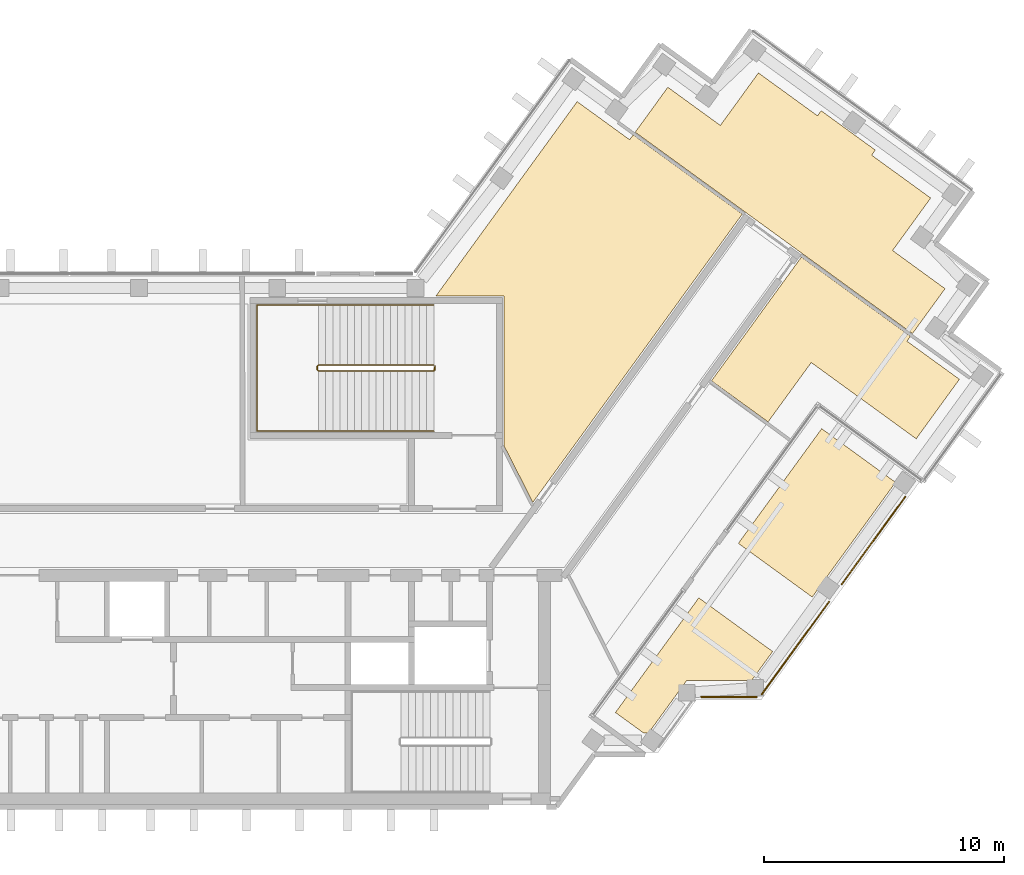
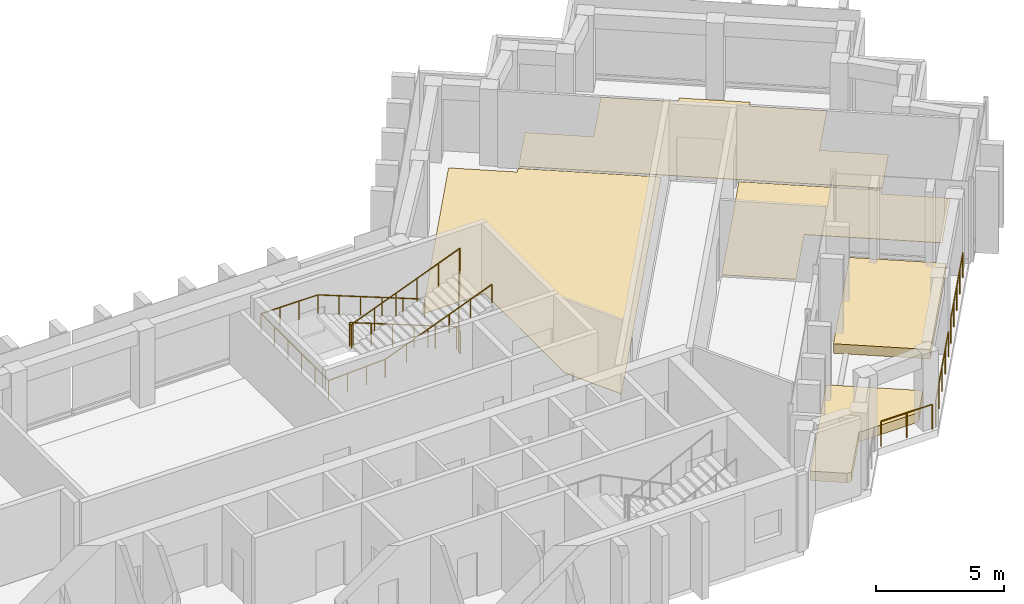
# One storey, part 11 of 11: 5 coverings, 5 railings.
"""IFC4 building model written with IfcOpenShell, lengths in metres."""

from ifc_helpers import new_model, si_unit, direction, frame, origin, origin_2d, place, context, subcontext, project, spatial, polyline, circle, outline, extrude, material, layer, layer_set, type_object, element, save


model = new_model("IFC4")

# Units and contexts
model_context = context("Model", 3, precision=1e-05, world=origin(), true_north=direction((0.0, 1.0)))
body_context = subcontext(model_context, "Body", "Model", "MODEL_VIEW")
ifc_project = project(units=[si_unit("LENGTHUNIT", "METRE"), si_unit("AREAUNIT", "SQUARE_METRE"), si_unit("VOLUMEUNIT", "CUBIC_METRE"), si_unit("PLANEANGLEUNIT", "RADIAN"), si_unit("MASSUNIT", "GRAM", prefix="KILO")], contexts=[model_context])

# Site, building, storey
site_placement = place(None, origin())
site = spatial("IfcSite", under=ifc_project, at=site_placement, CompositionType="ELEMENT")
building_placement = place(site_placement, origin())
building = spatial("IfcBuilding", under=site, at=building_placement, Name="Quipu Civic Tower", CompositionType="ELEMENT")
storey_placement = place(building_placement, frame((0.0, 0.0, 319.0)))
storey = spatial("IfcBuildingStorey", under=building, at=storey_placement, Name="L74", CompositionType="ELEMENT", Elevation=319.0)

# Coverings
ifc_material_1 = material(Name="Carpet tile on raised access floor")
ifc_layer_1 = layer(ifc_material_1, 0.02001953125)
ifc_layer_set_1 = layer_set([ifc_layer_1], Name="Carpet tile on raised access floor")
covering_type_1 = type_object("IfcCoveringType", Name="Carpet tile floor finish 20", PredefinedType="FLOORING", material=ifc_layer_set_1)
covering_1_placement = place(storey_placement, origin())
element("IfcCovering", 1, at=covering_1_placement, inside=storey, type_object=covering_type_1, Name="Carpet tile floor finish 20", PredefinedType="FLOORING", context=body_context, shape_type="SweptSolid", body=[
    extrude(outline(polyline([(15.238037109375, 10.169921875), (21.115966796875, 18.260986328125), (23.299072265625, 16.676025390625), (23.447998046875, 16.876953125), (27.987060546875, 13.5791015625), (19.27197265625, 1.583984375), (18.070068359375, 3.94189453125), (18.070068359375, 10.1689453125), (15.238037109375, 10.169921875)])), origin(), (0.0, 0.0, 1.0), 0.02001953125),
])
covering_2_placement = place(storey_placement, origin())
element("IfcCovering", 2, at=covering_2_placement, inside=storey, type_object=covering_type_1, Name="Carpet tile floor finish 20", PredefinedType="FLOORING", context=body_context, shape_type="SweptSolid", body=[
    extrude(outline(polyline([(26.705078125, 6.64306640625), (30.446044921875, 11.7919921875), (34.985107421875, 8.493896484375), (34.839111328125, 8.291015625), (37.02197265625, 6.7060546875), (35.22412109375, 4.22998046875), (30.85595703125, 7.403076171875), (29.06005859375, 4.93310546875), (26.705078125, 6.64306640625)])), origin(), (0.0, 0.0, 1.0), 0.02001953125),
])
covering_3_placement = place(storey_placement, origin())
element("IfcCovering", 3, at=covering_3_placement, inside=storey, type_object=covering_type_1, Name="Carpet tile floor finish 20", PredefinedType="FLOORING", context=body_context, shape_type="SweptSolid", body=[
    extrude(outline(polyline([(23.531005859375, 16.989013671875), (24.888916015625, 18.85791015625), (27.073974609375, 17.27197265625), (28.658935546875, 19.455078125), (31.116943359375, 17.6708984375), (31.27099609375, 17.8798828125), (33.52197265625, 16.2451171875), (33.3701171875, 16.032958984375), (35.826904296875, 14.248046875), (34.240966796875, 12.06396484375), (36.425048828125, 10.47705078125), (35.068115234375, 8.60791015625), (23.531005859375, 16.989013671875)])), origin(), (0.0, 0.0, 1.0), 0.02001953125),
])
ifc_material_2 = material(Name="Planting soil on drainage board")
ifc_layer_2 = layer(ifc_material_2, 0.449951171875)
ifc_layer_set_2 = layer_set([ifc_layer_2], Name="Planting soil on drainage board")
covering_type_2 = type_object("IfcCoveringType", Name="Planted terrace build-up", PredefinedType="FLOORING", material=ifc_layer_set_2)
covering_4_placement = place(storey_placement, origin())
element("IfcCovering", 4, at=covering_4_placement, inside=storey, type_object=covering_type_2, Name="Planted terrace L74 bed 1", PredefinedType="FLOORING", context=body_context, shape_type="SweptSolid", body=[
    extrude(outline(polyline([(26.177001953125, -2.38671875), (29.251220703125, -4.6201171875), (28.37109375, -5.831298828125), (25.671142578125, -5.831298828125), (24.084228515625, -8.015625), (23.88720703125, -8.015625), (22.708984375, -7.15966796875), (26.177001953125, -2.38671875)])), origin(), (0.0, 0.0, 1.0), 0.449951171875),
])
covering_5_placement = place(storey_placement, origin())
element("IfcCovering", 5, at=covering_5_placement, inside=storey, type_object=covering_type_2, Name="Planted terrace L74 bed 2", PredefinedType="FLOORING", context=body_context, shape_type="SweptSolid", body=[
    extrude(outline(polyline([(31.290771484375, 4.652099609375), (34.364990234375, 2.41845703125), (30.89697265625, -2.35498046875), (27.82275390625, -0.121337890625), (31.290771484375, 4.652099609375)])), origin(), (0.0, 0.0, 1.0), 0.449951171875),
])

# Railings
ifc_material_3 = material(Name="Stainless steel", Category="steel")
railing_type_1 = type_object("IfcRailingType", Name="Stair guard 1100", PredefinedType="GUARDRAIL", material=ifc_material_3)
railing_1_placement = place(storey_placement, frame((15.14990234375, 7.300048828125, 0.11767578125)))
element("IfcRailing", 6, at=railing_1_placement, inside=storey, type_object=railing_type_1, Name="Stair 4 guard", PredefinedType="GUARDRAIL", context=body_context, shape_type="SweptSolid", body=[
    extrude(circle(Radius=0.02392578125, at=origin_2d()), frame((0.0, 0.0, 1.076171875), z_axis=(-0.930970042603, 0.0, 0.365095576219), x_axis=(0.0, -1.0, 0.0)), (0.0, 0.0, 1.0), 5.15576171875),
    extrude(circle(Radius=0.02392578125, at=origin_2d()), frame((-4.7998046875, 0.0, 2.95849609375), z_axis=(-0.707106781187, -0.707106781187, 0.0), x_axis=(0.707106781187, -0.707106781187, 0.0)), (0.0, 0.0, 1.0), 0.07080078125),
    extrude(circle(Radius=0.02392578125, at=origin_2d()), frame((-4.849853515625, -0.050048828125, 2.95849609375), z_axis=(0.0, -1.0, 0.0), x_axis=(1.0, 0.0, 0.0)), (0.0, 0.0, 1.0), 0.14990234375),
    extrude(circle(Radius=0.02392578125, at=origin_2d()), frame((-4.849853515625, -0.199951171875, 2.95849609375), z_axis=(0.364463019033, -0.364463019033, 0.856932561824), x_axis=(0.707106781187, 0.707106781187, 0.0)), (0.0, 0.0, 1.0), 0.13720703125),
    extrude(circle(Radius=0.02392578125, at=origin_2d()), frame((-4.7998046875, -0.25, 3.076171875), z_axis=(0.930970042603, 0.0, 0.365095576219), x_axis=(0.0, 1.0, 0.0)), (0.0, 0.0, 1.0), 5.15576171875),
    extrude(circle(Radius=0.02392578125, at=origin_2d()), frame((0.0, -0.25, 4.95849609375), z_axis=(0.012495627992, 0.049921557685, -0.998674970829), x_axis=(-0.970072785993, 0.242814311512, 0.0)), (0.0, 0.0, 1.0), 4.00537109375),
    extrude(circle(Radius=0.02392578125, at=origin_2d()), frame((0.050048828125, -0.050048828125, 0.95849609375), z_axis=(0.0, -1.0, 0.0), x_axis=(1.0, 0.0, 0.0)), (0.0, 0.0, 1.0), 0.14990234375),
    extrude(circle(Radius=0.02099609375, at=origin_2d()), origin(), (0.0, 0.0, 1.0), 1.052001953125),
    extrude(circle(Radius=0.02099609375, at=origin_2d()), frame((-0.9599609375, 0.0, 0.37646484375)), (0.0, 0.0, 1.0), 1.052001953125),
    extrude(circle(Radius=0.02099609375, at=origin_2d()), frame((-1.919921875, 0.0, 0.7529296875)), (0.0, 0.0, 1.0), 1.052001953125),
    extrude(circle(Radius=0.02099609375, at=origin_2d()), frame((-2.8798828125, 0.0, 1.12939453125)), (0.0, 0.0, 1.0), 1.052001953125),
    extrude(circle(Radius=0.02099609375, at=origin_2d()), frame((-3.83984375, 0.0, 1.505859375)), (0.0, 0.0, 1.0), 1.052001953125),
    extrude(circle(Radius=0.02099609375, at=origin_2d()), frame((-4.7998046875, 0.0, 1.88232421875)), (0.0, 0.0, 1.0), 1.052001953125),
    extrude(circle(Radius=0.02099609375, at=origin_2d()), frame((-4.849853515625, -0.050048828125, 1.88232421875)), (0.0, 0.0, 1.0), 1.052001953125),
    extrude(circle(Radius=0.02099609375, at=origin_2d()), frame((-4.849853515625, -0.199951171875, 1.88232421875)), (0.0, 0.0, 1.0), 1.052001953125),
    extrude(circle(Radius=0.02099609375, at=origin_2d()), frame((-4.7998046875, -0.25, 2.0)), (0.0, 0.0, 1.0), 1.052001953125),
    extrude(circle(Radius=0.02099609375, at=origin_2d()), frame((-3.83984375, -0.25, 2.37646484375)), (0.0, 0.0, 1.0), 1.052001953125),
    extrude(circle(Radius=0.02099609375, at=origin_2d()), frame((-2.8798828125, -0.25, 2.7529296875)), (0.0, 0.0, 1.0), 1.052001953125),
    extrude(circle(Radius=0.02099609375, at=origin_2d()), frame((-1.919921875, -0.25, 3.12939453125)), (0.0, 0.0, 1.0), 1.052001953125),
    extrude(circle(Radius=0.02099609375, at=origin_2d()), frame((-0.9599609375, -0.25, 3.505859375)), (0.0, 0.0, 1.0), 1.052001953125),
    extrude(circle(Radius=0.02099609375, at=origin_2d()), frame((0.0, -0.25, 3.88232421875)), (0.0, 0.0, 1.0), 1.052001953125),
    extrude(circle(Radius=0.02099609375, at=origin_2d()), frame((0.012451171875, -0.199951171875, 2.88232421875)), (0.0, 0.0, 1.0), 1.052001953125),
    extrude(circle(Radius=0.02099609375, at=origin_2d()), frame((0.02490234375, -0.14990234375, 1.88232421875)), (0.0, 0.0, 1.0), 1.052001953125),
    extrude(circle(Radius=0.02099609375, at=origin_2d()), frame((0.03759765625, -0.10009765625, 0.88232421875)), (0.0, 0.0, 1.0), 1.052001953125),
    extrude(circle(Radius=0.02099609375, at=origin_2d()), frame((0.050048828125, -0.050048828125, -0.11767578125)), (0.0, 0.0, 1.0), 1.052001953125),
    extrude(circle(Radius=0.02099609375, at=origin_2d()), frame((0.050048828125, -0.199951171875, -0.11767578125)), (0.0, 0.0, 1.0), 1.052001953125),
])
ifc_material_4 = material(Name="Stainless steel", Category="steel")
railing_type_2 = type_object("IfcRailingType", Name="Stair handrail", PredefinedType="HANDRAIL", material=ifc_material_4)
railing_2_placement = place(storey_placement, frame((15.14990234375, 9.800048828125, 0.11767578125)))
element("IfcRailing", 7, at=railing_2_placement, inside=storey, type_object=railing_type_2, Name="Stair 4 handrail", PredefinedType="HANDRAIL", context=body_context, shape_type="SweptSolid", body=[
    extrude(circle(Radius=0.02392578125, at=origin_2d()), frame((0.0, 0.0, 0.8759765625), z_axis=(-0.930970042603, 0.0, 0.365095576219), x_axis=(0.0, -1.0, 0.0)), (0.0, 0.0, 1.0), 5.15576171875),
    extrude(circle(Radius=0.02392578125, at=origin_2d()), frame((-4.7998046875, 0.0, 2.75830078125), z_axis=(-1.0, 0.0, 0.0), x_axis=(0.0, -1.0, 0.0)), (0.0, 0.0, 1.0), 2.550048828125),
    extrude(circle(Radius=0.02392578125, at=origin_2d()), frame((-7.349853515625, 0.0, 2.75830078125), z_axis=(0.0, -1.0, 0.0), x_axis=(1.0, 0.0, 0.0)), (0.0, 0.0, 1.0), 5.25),
    extrude(circle(Radius=0.02392578125, at=origin_2d()), frame((-7.349853515625, -5.25, 2.75830078125), z_axis=(0.998936948642, 0.0, 0.04609742549), x_axis=(0.0, 1.0, 0.0)), (0.0, 0.0, 1.0), 2.552734375),
    extrude(circle(Radius=0.02392578125, at=origin_2d()), frame((-4.7998046875, -5.25, 2.8759765625), z_axis=(0.930970042603, 0.0, 0.365095576219), x_axis=(0.0, 1.0, 0.0)), (0.0, 0.0, 1.0), 5.15576171875),
    extrude(circle(Radius=0.02099609375, at=origin_2d()), origin(), (0.0, 0.0, 1.0), 0.851806640625),
    extrude(circle(Radius=0.02099609375, at=origin_2d()), frame((-0.9599609375, 0.0, 0.37646484375)), (0.0, 0.0, 1.0), 0.851806640625),
    extrude(circle(Radius=0.02099609375, at=origin_2d()), frame((-1.919921875, 0.0, 0.7529296875)), (0.0, 0.0, 1.0), 0.851806640625),
    extrude(circle(Radius=0.02099609375, at=origin_2d()), frame((-2.8798828125, 0.0, 1.12939453125)), (0.0, 0.0, 1.0), 0.851806640625),
    extrude(circle(Radius=0.02099609375, at=origin_2d()), frame((-3.83984375, 0.0, 1.505859375)), (0.0, 0.0, 1.0), 0.851806640625),
    extrude(circle(Radius=0.02099609375, at=origin_2d()), frame((-4.7998046875, 0.0, 1.88232421875)), (0.0, 0.0, 1.0), 0.851806640625),
    extrude(circle(Radius=0.02099609375, at=origin_2d()), frame((-5.64990234375, 0.0, 1.88232421875)), (0.0, 0.0, 1.0), 0.851806640625),
    extrude(circle(Radius=0.02099609375, at=origin_2d()), frame((-6.499755859375, 0.0, 1.88232421875)), (0.0, 0.0, 1.0), 0.851806640625),
    extrude(circle(Radius=0.02099609375, at=origin_2d()), frame((-7.349853515625, 0.0, 1.88232421875)), (0.0, 0.0, 1.0), 0.851806640625),
    extrude(circle(Radius=0.02099609375, at=origin_2d()), frame((-7.349853515625, -1.050048828125, 1.88232421875)), (0.0, 0.0, 1.0), 0.851806640625),
    extrude(circle(Radius=0.02099609375, at=origin_2d()), frame((-7.349853515625, -2.10009765625, 1.88232421875)), (0.0, 0.0, 1.0), 0.851806640625),
    extrude(circle(Radius=0.02099609375, at=origin_2d()), frame((-7.349853515625, -3.14990234375, 1.88232421875)), (0.0, 0.0, 1.0), 0.851806640625),
    extrude(circle(Radius=0.02099609375, at=origin_2d()), frame((-7.349853515625, -4.199951171875, 1.88232421875)), (0.0, 0.0, 1.0), 0.851806640625),
    extrude(circle(Radius=0.02099609375, at=origin_2d()), frame((-7.349853515625, -5.25, 1.88232421875)), (0.0, 0.0, 1.0), 0.851806640625),
    extrude(circle(Radius=0.02099609375, at=origin_2d()), frame((-6.499755859375, -5.25, 1.921630859375)), (0.0, 0.0, 1.0), 0.851806640625),
    extrude(circle(Radius=0.02099609375, at=origin_2d()), frame((-5.64990234375, -5.25, 1.960693359375)), (0.0, 0.0, 1.0), 0.851806640625),
    extrude(circle(Radius=0.02099609375, at=origin_2d()), frame((-4.7998046875, -5.25, 2.0)), (0.0, 0.0, 1.0), 0.851806640625),
    extrude(circle(Radius=0.02099609375, at=origin_2d()), frame((-3.83984375, -5.25, 2.37646484375)), (0.0, 0.0, 1.0), 0.851806640625),
    extrude(circle(Radius=0.02099609375, at=origin_2d()), frame((-2.8798828125, -5.25, 2.7529296875)), (0.0, 0.0, 1.0), 0.851806640625),
    extrude(circle(Radius=0.02099609375, at=origin_2d()), frame((-1.919921875, -5.25, 3.12939453125)), (0.0, 0.0, 1.0), 0.851806640625),
    extrude(circle(Radius=0.02099609375, at=origin_2d()), frame((-0.9599609375, -5.25, 3.505859375)), (0.0, 0.0, 1.0), 0.851806640625),
    extrude(circle(Radius=0.02099609375, at=origin_2d()), frame((0.0, -5.25, 3.88232421875)), (0.0, 0.0, 1.0), 0.851806640625),
])
ifc_material_5 = material(Name="Steel S275", Category="steel")
railing_type_3 = type_object("IfcRailingType", Name="Terrace guard G1", PredefinedType="GUARDRAIL", material=ifc_material_5)
railing_3_placement = place(storey_placement, frame((26.27880859375, -6.51123046875, 0.0)))
element("IfcRailing", 8, at=railing_3_placement, inside=storey, type_object=railing_type_3, Name="Terrace guard L74.2", PredefinedType="GUARDRAIL", context=body_context, shape_type="SweptSolid", body=[
    extrude(circle(Radius=0.02490234375, at=origin_2d()), frame((0.0, 0.0, 1.1748046875), z_axis=(1.0, 0.0, 0.0), x_axis=(0.0, 1.0, 0.0)), (0.0, 0.0, 1.0), 2.300048828125),
    extrude(circle(Radius=0.02490234375, at=origin_2d()), origin(), (0.0, 0.0, 1.0), 1.14990234375),
    extrude(circle(Radius=0.02490234375, at=origin_2d()), frame((1.14990234375, 0.0, 0.0)), (0.0, 0.0, 1.0), 1.14990234375),
    extrude(circle(Radius=0.02490234375, at=origin_2d()), frame((2.300048828125, 0.0, 0.0)), (0.0, 0.0, 1.0), 1.14990234375),
])
railing_4_placement = place(storey_placement, frame((28.79931640625, -6.39892578125, 0.0)))
element("IfcRailing", 9, at=railing_4_placement, inside=storey, type_object=railing_type_3, Name="Terrace guard L74.3", PredefinedType="GUARDRAIL", context=body_context, shape_type="SweptSolid", body=[
    extrude(circle(Radius=0.02490234375, at=origin_2d()), frame((0.0, 0.0, 1.1748046875), z_axis=(0.58779267372, 0.80901160234, 0.0), x_axis=(-0.80901160234, 0.58779267372, 0.0)), (0.0, 0.0, 1.0), 4.75),
    extrude(circle(Radius=0.02490234375, at=origin_2d()), origin(), (0.0, 0.0, 1.0), 1.14990234375),
    extrude(circle(Radius=0.02490234375, at=origin_2d()), frame((0.697998046875, 0.960693359375, 0.0)), (0.0, 0.0, 1.0), 1.14990234375),
    extrude(circle(Radius=0.02490234375, at=origin_2d()), frame((1.39599609375, 1.92138671875, 0.0)), (0.0, 0.0, 1.0), 1.14990234375),
    extrude(circle(Radius=0.02490234375, at=origin_2d()), frame((2.093994140625, 2.882080078125, 0.0)), (0.0, 0.0, 1.0), 1.14990234375),
    extrude(circle(Radius=0.02490234375, at=origin_2d()), frame((2.7919921875, 3.8427734375, 0.0)), (0.0, 0.0, 1.0), 1.14990234375),
])
railing_5_placement = place(storey_placement, frame((32.120361328125, -1.827880859375, 0.0)))
element("IfcRailing", 10, at=railing_5_placement, inside=storey, type_object=railing_type_3, Name="Terrace guard L74.4", PredefinedType="GUARDRAIL", context=body_context, shape_type="SweptSolid", body=[
    extrude(circle(Radius=0.02490234375, at=origin_2d()), frame((0.0, 0.0, 1.1748046875), z_axis=(0.587803872688, 0.809003465539, 0.0), x_axis=(-0.809003465539, 0.587803872688, 0.0)), (0.0, 0.0, 1.0), 4.499755859375),
    extrude(circle(Radius=0.02490234375, at=origin_2d()), origin(), (0.0, 0.0, 1.0), 1.14990234375),
    extrude(circle(Radius=0.02490234375, at=origin_2d()), frame((0.6611328125, 0.91015625, 0.0)), (0.0, 0.0, 1.0), 1.14990234375),
    extrude(circle(Radius=0.02490234375, at=origin_2d()), frame((1.322509765625, 1.8203125, 0.0)), (0.0, 0.0, 1.0), 1.14990234375),
    extrude(circle(Radius=0.02490234375, at=origin_2d()), frame((1.98388671875, 2.730224609375, 0.0)), (0.0, 0.0, 1.0), 1.14990234375),
    extrude(circle(Radius=0.02490234375, at=origin_2d()), frame((2.64501953125, 3.640380859375, 0.0)), (0.0, 0.0, 1.0), 1.14990234375),
])

save(model, "model.ifc")
